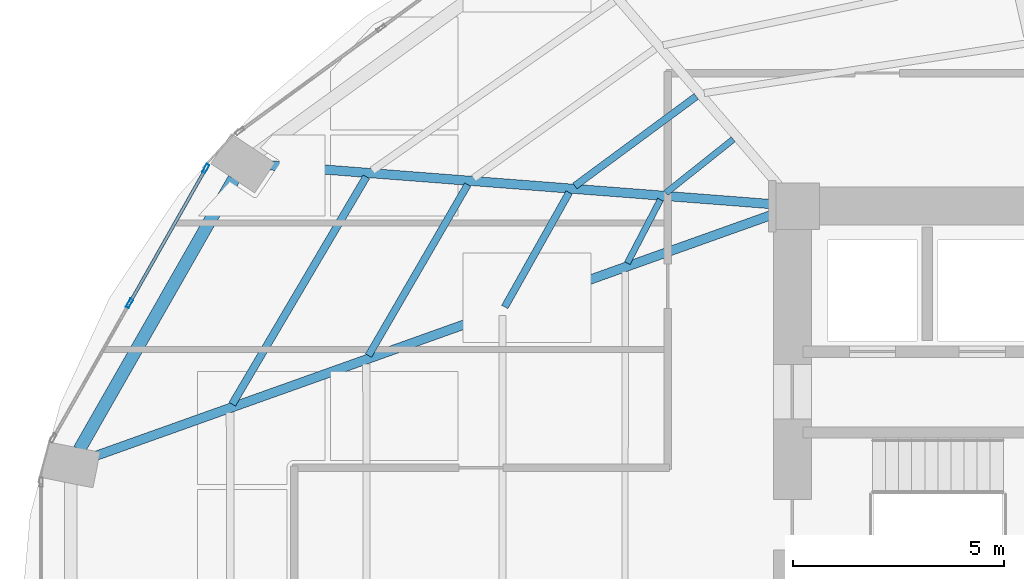
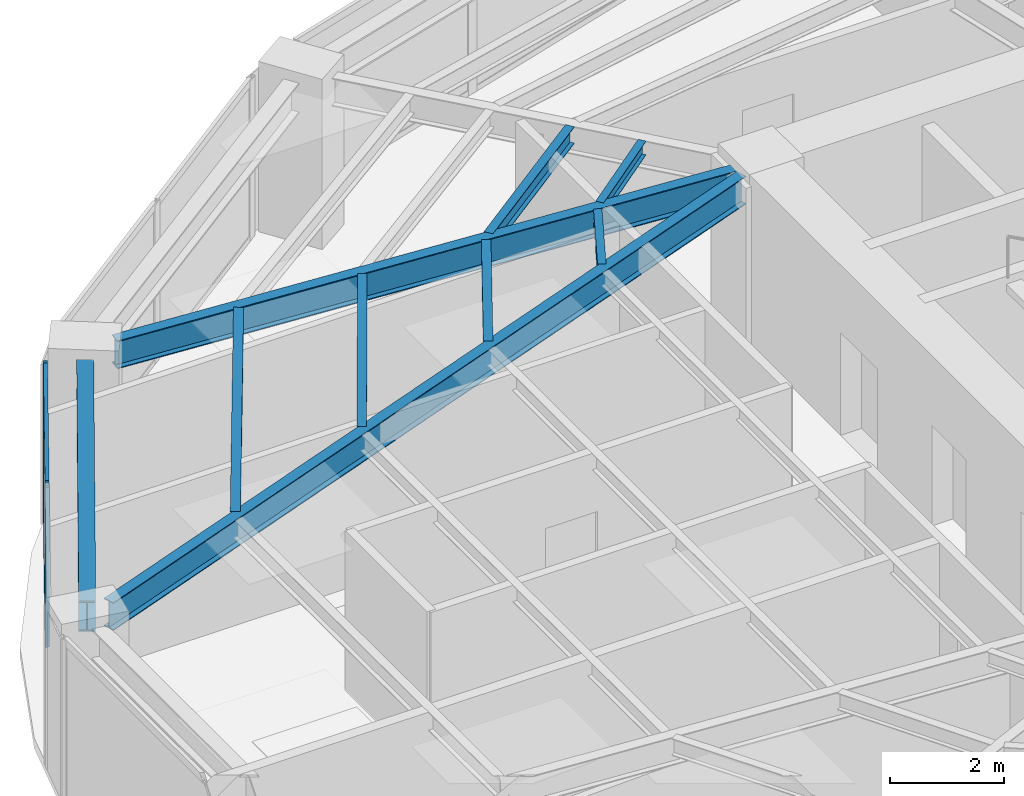
# One storey, part 8 of 24: 9 beams, 4 members, 1 element without a shape of its own.
"""IFC4 building model written with IfcOpenShell, lengths in metres."""

from ifc_helpers import new_model, si_unit, direction, frame, origin, origin_2d, place, context, subcontext, project, spatial, hollow_rectangle, i_section, extrude, material, layer, layer_set, material_profile, profile_set, type_object, element, aggregate, save


model = new_model("IFC4")

# Units and contexts
model_context = context("Model", 3, precision=1e-05, world=origin(), true_north=direction((0.0, 1.0)))
body_context = subcontext(model_context, "Body", "Model", "MODEL_VIEW")
ifc_project = project(units=[si_unit("LENGTHUNIT", "METRE"), si_unit("AREAUNIT", "SQUARE_METRE"), si_unit("VOLUMEUNIT", "CUBIC_METRE"), si_unit("PLANEANGLEUNIT", "RADIAN"), si_unit("MASSUNIT", "GRAM", prefix="KILO")], contexts=[model_context])

# Site, building, storey
site_placement = place(None, origin())
site = spatial("IfcSite", under=ifc_project, at=site_placement, CompositionType="ELEMENT")
building_placement = place(site_placement, origin())
building = spatial("IfcBuilding", under=site, at=building_placement, Name="Lazwardi Medical Tower", CompositionType="ELEMENT")
storey_placement = place(building_placement, frame((0.0, 0.0, 39.7919921875)))
storey = spatial("IfcBuildingStorey", under=building, at=storey_placement, Name="L09", CompositionType="ELEMENT", Elevation=39.7919921875)

# Beams
ifc_material_1 = material(Name="Steel S355", Category="steel")
ifc_material_profile_1 = material_profile(ifc_material_1, i_section(OverallWidth=0.300048828125, OverallDepth=0.64990234375, WebThickness=0.01611328125, FlangeThickness=0.031005859375, at=origin_2d()), Name="HEB 650")
ifc_profile_set_1 = profile_set([ifc_material_profile_1], Name="Steel S355")
beam_type_1 = type_object("IfcBeamType", Name="BM-RB-Z1", PredefinedType="BEAM", material=ifc_profile_set_1)
beam_1_placement = place(storey_placement, frame((13.072021484375, 36.24951171875, 3.10302734375), z_axis=(-0.495829348644, -0.868419977328, 0.0), x_axis=(0.868419977328, -0.495829348644, 0.0)))
element("IfcBeam", 1, at=beam_1_placement, inside=storey, type_object=beam_type_1, Name="Ring beam RB-02 B11 L09", PredefinedType="BEAM", context=body_context, shape_type="SweptSolid", body=[
    extrude(i_section(OverallWidth=0.300048828125, OverallDepth=0.64990234375, WebThickness=0.01611328125, FlangeThickness=0.031005859375, at=origin_2d()), origin(), (0.0, 0.0, 1.0), 7.38916015625),
])
ifc_material_profile_2 = material_profile(ifc_material_1, i_section(OverallWidth=0.219970703125, OverallDepth=0.60009765625, WebThickness=0.011962890625, FlangeThickness=0.01904296875, at=origin_2d()), Name="IPE 600")
ifc_profile_set_2 = profile_set([ifc_material_profile_2], Name="Steel S355")
beam_type_2 = type_object("IfcBeamType", Name="BM-RG-W1", PredefinedType="BEAM", material=ifc_profile_set_2)
beam_2_placement = place(storey_placement, frame((13.8583984375, 36.569580078125, 3.1279296875), z_axis=(0.997024241118, -0.077088667283, 0.0), x_axis=(0.077088667283, 0.997024241118, 0.0)))
element("IfcBeam", 2, at=beam_2_placement, inside=storey, type_object=beam_type_2, Name="Radial girder RG-02 R11 L09", PredefinedType="BEAM", context=body_context, shape_type="SweptSolid", body=[
    extrude(i_section(OverallWidth=0.219970703125, OverallDepth=0.60009765625, WebThickness=0.011962890625, FlangeThickness=0.01904296875, at=origin_2d()), origin(), (0.0, 0.0, 1.0), 12.044189453125),
])
beam_3_placement = place(storey_placement, frame((9.746337890625, 29.66259765625, 3.1279296875), z_axis=(0.941925080425, 0.335823082688, 0.0), x_axis=(-0.335823082688, 0.941925080425, 0.0)))
element("IfcBeam", 3, at=beam_3_placement, inside=storey, type_object=beam_type_2, Name="Radial girder RG-02 R12 L09", PredefinedType="BEAM", context=body_context, shape_type="SweptSolid", body=[
    extrude(i_section(OverallWidth=0.219970703125, OverallDepth=0.60009765625, WebThickness=0.011962890625, FlangeThickness=0.01904296875, at=origin_2d()), origin(), (0.0, 0.0, 1.0), 17.145263671875),
])
ifc_material_profile_3 = material_profile(ifc_material_1, i_section(OverallWidth=0.179931640625, OverallDepth=0.39990234375, WebThickness=0.008544921875, FlangeThickness=0.013427734375, at=origin_2d()), Name="IPE 400")
ifc_profile_set_3 = profile_set([ifc_material_profile_3], Name="Steel S355")
beam_type_3 = type_object("IfcBeamType", Name="BM-SJ-01", PredefinedType="JOIST", material=ifc_profile_set_3)
beam_4_placement = place(storey_placement, frame((16.206787109375, 36.29345703125, 3.22802734375), z_axis=(-0.507886270937, -0.861424132349, 0.0), x_axis=(0.861424132349, -0.507886270937, 0.0)))
element("IfcBeam", 4, at=beam_4_placement, inside=storey, type_object=beam_type_3, Name="Secondary joist SJ-01 R1 B11 L09", PredefinedType="JOIST", context=body_context, shape_type="SweptSolid", body=[
    extrude(i_section(OverallWidth=0.179931640625, OverallDepth=0.39990234375, WebThickness=0.008544921875, FlangeThickness=0.013427734375, at=origin_2d()), origin(), (0.0, 0.0, 1.0), 6.255859375),
])
ifc_material_profile_4 = material_profile(ifc_material_1, i_section(OverallWidth=0.169921875, OverallDepth=0.360107421875, WebThickness=0.008056640625, FlangeThickness=0.0126953125, at=origin_2d()), Name="IPE 360")
ifc_profile_set_4 = profile_set([ifc_material_profile_4], Name="Steel S355")
beam_type_4 = type_object("IfcBeamType", Name="BM-SJ-02", PredefinedType="JOIST", material=ifc_profile_set_4)
beam_5_placement = place(storey_placement, frame((18.60888671875, 36.107421875, 3.248046875), z_axis=(-0.501798442848, -0.86498457949, 0.0), x_axis=(0.86498457949, -0.501798442848, 0.0)))
element("IfcBeam", 5, at=beam_5_placement, inside=storey, type_object=beam_type_4, Name="Secondary joist SJ-02 R2 B11 L09", PredefinedType="JOIST", context=body_context, shape_type="SweptSolid", body=[
    extrude(i_section(OverallWidth=0.169921875, OverallDepth=0.360107421875, WebThickness=0.008056640625, FlangeThickness=0.0126953125, at=origin_2d()), origin(), (0.0, 0.0, 1.0), 4.683349609375),
])
beam_6_placement = place(storey_placement, frame((24.025146484375, 38.19873046875, 3.248046875), z_axis=(-0.804580292353, -0.593843879448, 0.0), x_axis=(0.593843879448, -0.804580292353, 0.0)))
element("IfcBeam", 6, at=beam_6_placement, inside=storey, type_object=beam_type_4, Name="Secondary joist SJ-02 R3 B10 L09", PredefinedType="JOIST", context=body_context, shape_type="SweptSolid", body=[
    extrude(i_section(OverallWidth=0.169921875, OverallDepth=0.360107421875, WebThickness=0.008056640625, FlangeThickness=0.0126953125, at=origin_2d()), origin(), (0.0, 0.0, 1.0), 3.576416015625),
])
beam_7_placement = place(storey_placement, frame((21.011962890625, 35.9208984375, 3.248046875), z_axis=(-0.489974339037, -0.87173685656, 0.0), x_axis=(0.87173685656, -0.489974339037, 0.0)))
element("IfcBeam", 7, at=beam_7_placement, inside=storey, type_object=beam_type_4, Name="Secondary joist SJ-02 R3 B11 L09", PredefinedType="JOIST", context=body_context, shape_type="SweptSolid", body=[
    extrude(i_section(OverallWidth=0.169921875, OverallDepth=0.360107421875, WebThickness=0.008056640625, FlangeThickness=0.0126953125, at=origin_2d()), origin(), (0.0, 0.0, 1.0), 3.111328125),
])
ifc_material_profile_5 = material_profile(ifc_material_1, i_section(OverallWidth=0.14990234375, OverallDepth=0.300048828125, WebThickness=0.007080078125, FlangeThickness=0.0107421875, at=origin_2d()), Name="IPE 300")
ifc_profile_set_5 = profile_set([ifc_material_profile_5], Name="Steel S355")
beam_type_5 = type_object("IfcBeamType", Name="BM-SJ-03", PredefinedType="JOIST", material=ifc_profile_set_5)
beam_8_placement = place(storey_placement, frame((24.901123046875, 37.1806640625, 3.278076171875), z_axis=(-0.782210957226, -0.623013658274, 0.0), x_axis=(0.623013658274, -0.782210957226, 0.0)))
element("IfcBeam", 8, at=beam_8_placement, inside=storey, type_object=beam_type_5, Name="Secondary joist SJ-03 R4 B10 L09", PredefinedType="JOIST", context=body_context, shape_type="SweptSolid", body=[
    extrude(i_section(OverallWidth=0.14990234375, OverallDepth=0.300048828125, WebThickness=0.007080078125, FlangeThickness=0.0107421875, at=origin_2d()), origin(), (0.0, 0.0, 1.0), 2.0380859375),
])
beam_9_placement = place(storey_placement, frame((23.17626953125, 35.752197265625, 3.278076171875), z_axis=(-0.462162985948, -0.88679500135, 0.0), x_axis=(0.88679500135, -0.462162985948, 0.0)))
element("IfcBeam", 9, at=beam_9_placement, inside=storey, type_object=beam_type_5, Name="Secondary joist SJ-03 R4 B11 L09", PredefinedType="JOIST", context=body_context, shape_type="SweptSolid", body=[
    extrude(i_section(OverallWidth=0.14990234375, OverallDepth=0.300048828125, WebThickness=0.007080078125, FlangeThickness=0.0107421875, at=origin_2d()), origin(), (0.0, 0.0, 1.0), 1.69775390625),
])

# Curtain wall, members
ifc_material_2 = material(Name="Anodised bronze aluminium and solar control glazing", Category="aluminium")
ifc_layer = layer(ifc_material_2, 0.199951171875)
ifc_layer_set = layer_set([ifc_layer], Name="Anodised bronze aluminium and solar control glazing")
curtain_wall_type = type_object("IfcCurtainWallType", Name="CW-SYS-02", PredefinedType="NOTDEFINED", material=ifc_layer_set)
curtain_wall_placement = place(storey_placement, origin())
curtain_wall = element("IfcCurtainWall", 10, at=curtain_wall_placement, inside=storey, type_object=curtain_wall_type, Name="L09 Unitised bronze curtain wall CW-02", PredefinedType="NOTDEFINED")
ifc_material_3 = material(Name="Anodised bronze aluminium", Category="aluminium")
ifc_material_profile_6 = material_profile(ifc_material_3, hollow_rectangle(XDim=0.074951171875, YDim=0.219970703125, WallThickness=0.00390625, at=origin_2d()), Name="ALU-MULLION 220x75x4")
ifc_profile_set_6 = profile_set([ifc_material_profile_6], Name="Anodised bronze aluminium")
member_type_1 = type_object("IfcMemberType", Name="CW-MUL-01", PredefinedType="MULLION", material=ifc_profile_set_6)
member_1_placement = place(storey_placement, frame((12.4033203125, 36.488525390625, 0.0), z_axis=(0.0, 0.0, 1.0), x_axis=(0.870111838823, -0.492854327303, 0.0)))
member_1 = element("IfcMember", 11, at=member_1_placement, type_object=member_type_1, Name="CW-02 mullion 1", PredefinedType="MULLION", context=body_context, shape_type="SweptSolid", body=[
    extrude(hollow_rectangle(XDim=0.074951171875, YDim=0.219970703125, WallThickness=0.00390625, at=origin_2d()), origin(), (0.0, 0.0, 1.0), 3.427978515625),
])
member_2_placement = place(storey_placement, frame((10.5947265625, 33.29541015625, 0.0), z_axis=(0.0, 0.0, 1.0), x_axis=(0.870111838823, -0.492854327303, 0.0)))
member_2 = element("IfcMember", 12, at=member_2_placement, type_object=member_type_1, Name="CW-02 mullion 2", PredefinedType="MULLION", context=body_context, shape_type="SweptSolid", body=[
    extrude(hollow_rectangle(XDim=0.074951171875, YDim=0.219970703125, WallThickness=0.00390625, at=origin_2d()), origin(), (0.0, 0.0, 1.0), 3.427978515625),
])
ifc_material_profile_7 = material_profile(ifc_material_3, hollow_rectangle(XDim=0.074951171875, YDim=0.159912109375, WallThickness=0.00390625, at=origin_2d()), Name="ALU-TRANSOM 160x75x4")
ifc_profile_set_7 = profile_set([ifc_material_profile_7], Name="Anodised bronze aluminium")
member_type_2 = type_object("IfcMemberType", Name="CW-TRN-01", PredefinedType="USERDEFINED", material=ifc_profile_set_7)
member_3_placement = place(storey_placement, frame((12.384765625, 36.4560546875, 0.03759765625), z_axis=(-0.49285148925, -0.870113446365, 0.0), x_axis=(0.870113446365, -0.49285148925, 0.0)))
member_3 = element("IfcMember", 13, at=member_3_placement, type_object=member_type_2, Name="CW-02 transom 1.1", ObjectType="TRANSOM", PredefinedType="USERDEFINED", context=body_context, shape_type="SweptSolid", body=[
    extrude(hollow_rectangle(XDim=0.074951171875, YDim=0.159912109375, WallThickness=0.00390625, at=origin_2d()), origin(), (0.0, 0.0, 1.0), 3.594970703125),
])
member_4_placement = place(storey_placement, frame((12.384765625, 36.4560546875, 3.390625), z_axis=(-0.49285148925, -0.870113446365, 0.0), x_axis=(0.870113446365, -0.49285148925, 0.0)))
member_4 = element("IfcMember", 14, at=member_4_placement, type_object=member_type_2, Name="CW-02 transom 1.2", ObjectType="TRANSOM", PredefinedType="USERDEFINED", context=body_context, shape_type="SweptSolid", body=[
    extrude(hollow_rectangle(XDim=0.074951171875, YDim=0.159912109375, WallThickness=0.00390625, at=origin_2d()), origin(), (0.0, 0.0, 1.0), 3.594970703125),
])
aggregate(curtain_wall, [member_1, member_2, member_3, member_4])

save(model, "model.ifc")
